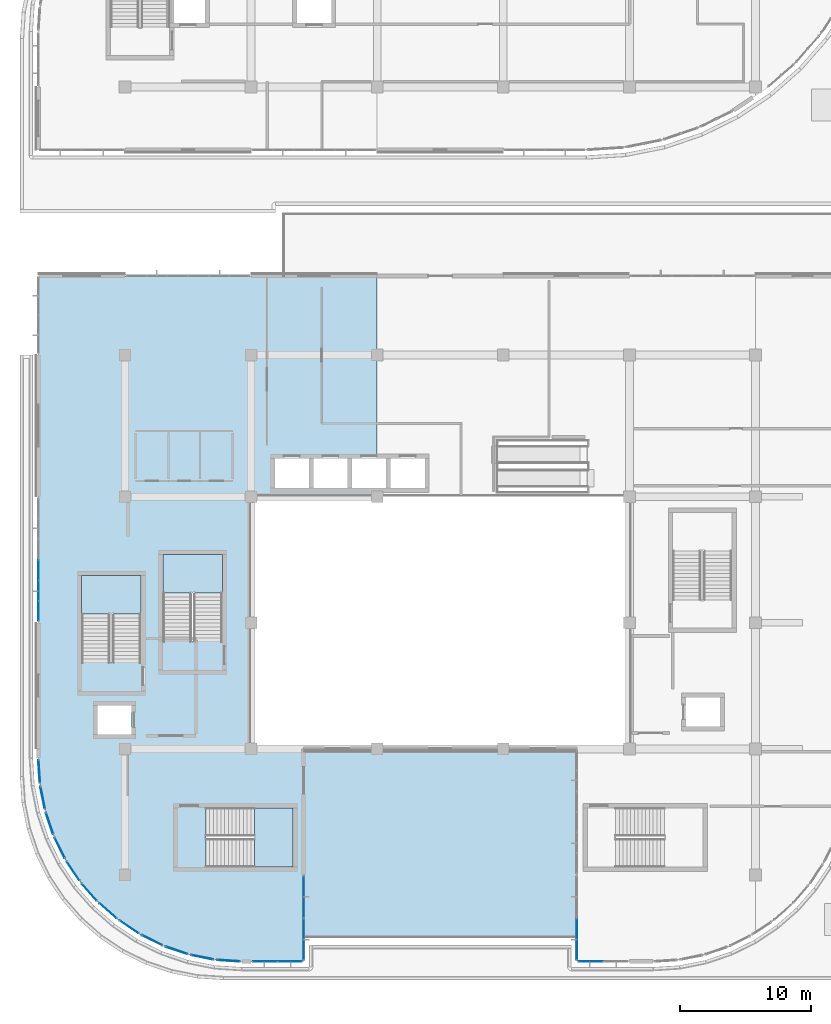
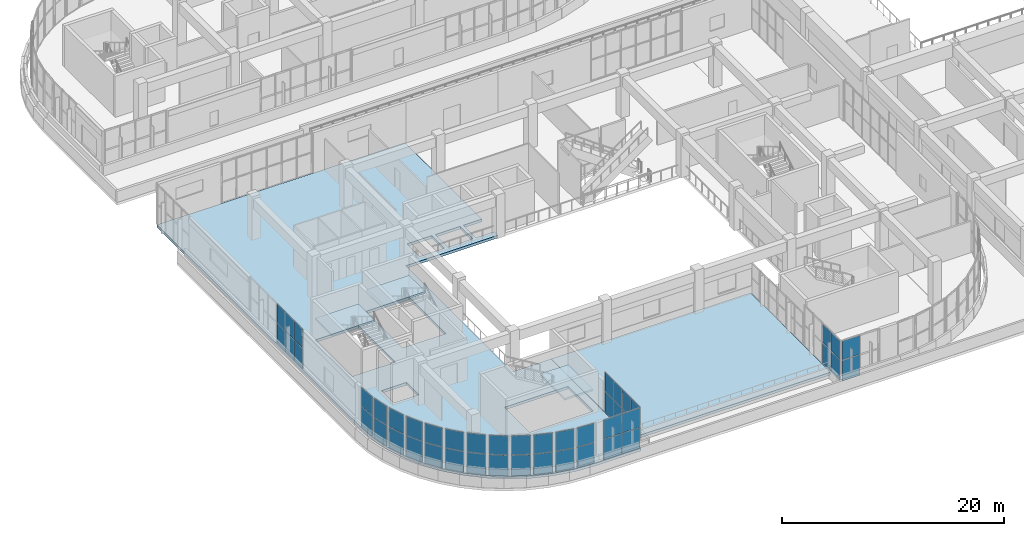
# One storey, part 44 of 96: 48 plates, 5 slabs, 20 elements without a shape of their own.
"""IFC4 building model written with IfcOpenShell, lengths in metres."""

from ifc_helpers import new_model, si_unit, direction, frame, origin, origin_2d, place, context, subcontext, project, spatial, polyline, rectangle, outline, extrude, material, layer, layer_set, type_object, element, aggregate, save


model = new_model("IFC4")

# Units and contexts
model_context = context("Model", 3, precision=1e-05, world=origin(), true_north=direction((0.0, 1.0)))
body_context = subcontext(model_context, "Body", "Model", "MODEL_VIEW")
ifc_project = project(units=[si_unit("LENGTHUNIT", "METRE"), si_unit("AREAUNIT", "SQUARE_METRE"), si_unit("VOLUMEUNIT", "CUBIC_METRE"), si_unit("PLANEANGLEUNIT", "RADIAN"), si_unit("MASSUNIT", "GRAM", prefix="KILO")], contexts=[model_context])

# Site, building, storey
site_placement = place(None, origin())
site = spatial("IfcSite", under=ifc_project, at=site_placement, CompositionType="ELEMENT")
building_placement = place(site_placement, origin())
building = spatial("IfcBuilding", under=site, at=building_placement, Name="Cendralis Terraced Arcade", CompositionType="ELEMENT")
storey_placement = place(building_placement, frame((0.0, 0.0, 10.199951171875)))
storey = spatial("IfcBuildingStorey", under=building, at=storey_placement, Name="L02", CompositionType="ELEMENT", Elevation=10.199951171875)

# Curtain wall, plates
ifc_material_1 = material(Name="Anodised aluminium EN AW-6063 T6", Category="aluminium")
ifc_layer_1 = layer(ifc_material_1, 0.1201171875, Name="CW-STORE-B")
ifc_layer_set_1 = layer_set([ifc_layer_1], Name="Anodised aluminium EN AW-6063 T6")
curtain_wall_type_1 = type_object("IfcCurtainWallType", Name="CW-STORE-B", PredefinedType="USERDEFINED", material=ifc_layer_set_1)
curtain_wall_1_placement = place(storey_placement, origin())
curtain_wall_1 = element("IfcCurtainWall", 1, at=curtain_wall_1_placement, inside=storey, type_object=curtain_wall_type_1, Name="Exterior Storefront Glazing CW-L02-0204", ObjectType="STOREFRONT GLAZING", PredefinedType="USERDEFINED")
ifc_material_2 = material(Name="Tempered solar control laminated glass", Category="glass")
ifc_layer_2 = layer(ifc_material_2, 0.02392578125, Name="CW-STORE-B-PNL")
ifc_layer_set_2 = layer_set([ifc_layer_2], Name="Tempered solar control laminated glass")
plate_type_1 = type_object("IfcPlateType", Name="CW-STORE-B-PNL", PredefinedType="CURTAIN_PANEL", material=ifc_layer_set_2)
plate_1_placement = place(storey_placement, frame((45.058837890625, 3.0, 0.05517578125), z_axis=(0.0, 0.0, 1.0), x_axis=(-1.0, 0.0, 0.0)))
plate_1 = element("IfcPlate", 2, at=plate_1_placement, type_object=plate_type_1, Name="CW-S2 panel 2.1", PredefinedType="CURTAIN_PANEL", context=body_context, shape_type="SweptSolid", body=[
    extrude(rectangle(XDim=1.827392578125, YDim=0.02392578125, at=origin_2d()), origin(), (0.0, 0.0, 1.0), 2.265380859375),
])
plate_2_placement = place(storey_placement, frame((45.058837890625, 3.0, 2.37548828125), z_axis=(0.0, 0.0, 1.0), x_axis=(-1.0, 0.0, 0.0)))
plate_2 = element("IfcPlate", 3, at=plate_2_placement, type_object=plate_type_1, Name="CW-S2 panel 2.2", PredefinedType="CURTAIN_PANEL", context=body_context, shape_type="SweptSolid", body=[
    extrude(rectangle(XDim=1.827392578125, YDim=0.02392578125, at=origin_2d()), origin(), (0.0, 0.0, 1.0), 2.084716796875),
])
aggregate(curtain_wall_1, [plate_1, plate_2])

curtain_wall_2_placement = place(storey_placement, origin())
curtain_wall_2 = element("IfcCurtainWall", 4, at=curtain_wall_2_placement, inside=storey, type_object=curtain_wall_type_1, Name="Exterior Storefront Glazing CW-L02-0205", ObjectType="STOREFRONT GLAZING", PredefinedType="USERDEFINED")
plate_3_placement = place(storey_placement, frame((44.0, 3.90625, 0.05517578125), z_axis=(0.0, 0.0, 1.0), x_axis=(0.0, 1.0, 0.0)))
plate_3 = element("IfcPlate", 5, at=plate_3_placement, type_object=plate_type_1, Name="CW-S2 panel 1.1", PredefinedType="CURTAIN_PANEL", context=body_context, shape_type="SweptSolid", body=[
    extrude(rectangle(XDim=1.5224609375, YDim=0.02392578125, at=origin_2d()), origin(), (0.0, 0.0, 1.0), 2.265380859375),
])
plate_4_placement = place(storey_placement, frame((44.0, 3.90625, 2.37548828125), z_axis=(0.0, 0.0, 1.0), x_axis=(0.0, 1.0, 0.0)))
plate_4 = element("IfcPlate", 6, at=plate_4_placement, type_object=plate_type_1, Name="CW-S2 panel 1.2", PredefinedType="CURTAIN_PANEL", context=body_context, shape_type="SweptSolid", body=[
    extrude(rectangle(XDim=1.5224609375, YDim=0.02392578125, at=origin_2d()), origin(), (0.0, 0.0, 1.0), 2.084716796875),
])
plate_5_placement = place(storey_placement, frame((44.0, 5.49755859375, 0.05517578125), z_axis=(0.0, 0.0, 1.0), x_axis=(0.0, 1.0, 0.0)))
plate_5 = element("IfcPlate", 7, at=plate_5_placement, type_object=plate_type_1, Name="CW-S2 panel 2.1", PredefinedType="CURTAIN_PANEL", context=body_context, shape_type="SweptSolid", body=[
    extrude(rectangle(XDim=1.550048828125, YDim=0.02392578125, at=origin_2d()), origin(), (0.0, 0.0, 1.0), 2.265380859375),
])
plate_6_placement = place(storey_placement, frame((44.0, 5.49755859375, 2.37548828125), z_axis=(0.0, 0.0, 1.0), x_axis=(0.0, 1.0, 0.0)))
plate_6 = element("IfcPlate", 8, at=plate_6_placement, type_object=plate_type_1, Name="CW-S2 panel 2.2", PredefinedType="CURTAIN_PANEL", context=body_context, shape_type="SweptSolid", body=[
    extrude(rectangle(XDim=1.550048828125, YDim=0.02392578125, at=origin_2d()), origin(), (0.0, 0.0, 1.0), 2.084716796875),
])
aggregate(curtain_wall_2, [plate_3, plate_4, plate_5, plate_6])

curtain_wall_3_placement = place(storey_placement, origin())
curtain_wall_3 = element("IfcCurtainWall", 9, at=curtain_wall_3_placement, inside=storey, type_object=curtain_wall_type_1, Name="Exterior Storefront Glazing CW-L02-0207", ObjectType="STOREFRONT GLAZING", PredefinedType="USERDEFINED")
plate_7_placement = place(storey_placement, frame((23.199951171875, 8.69384765625, 0.05517578125), z_axis=(0.0, 0.0, 1.0), x_axis=(0.0, -1.0, 0.0)))
plate_7 = element("IfcPlate", 10, at=plate_7_placement, type_object=plate_type_1, Name="CW-S2 panel 1.1", PredefinedType="CURTAIN_PANEL", context=body_context, shape_type="SweptSolid", body=[
    extrude(rectangle(XDim=1.5224609375, YDim=0.02392578125, at=origin_2d()), origin(), (0.0, 0.0, 1.0), 2.265380859375),
])
plate_8_placement = place(storey_placement, frame((23.199951171875, 8.69384765625, 2.37548828125), z_axis=(0.0, 0.0, 1.0), x_axis=(0.0, -1.0, 0.0)))
plate_8 = element("IfcPlate", 11, at=plate_8_placement, type_object=plate_type_1, Name="CW-S2 panel 1.2", PredefinedType="CURTAIN_PANEL", context=body_context, shape_type="SweptSolid", body=[
    extrude(rectangle(XDim=1.5224609375, YDim=0.02392578125, at=origin_2d()), origin(), (0.0, 0.0, 1.0), 2.084716796875),
])
plate_9_placement = place(storey_placement, frame((23.199951171875, 7.1025390625, 0.05517578125), z_axis=(0.0, 0.0, 1.0), x_axis=(0.0, -1.0, 0.0)))
plate_9 = element("IfcPlate", 12, at=plate_9_placement, type_object=plate_type_1, Name="CW-S2 panel 2.1", PredefinedType="CURTAIN_PANEL", context=body_context, shape_type="SweptSolid", body=[
    extrude(rectangle(XDim=1.550048828125, YDim=0.02392578125, at=origin_2d()), origin(), (0.0, 0.0, 1.0), 2.265380859375),
])
plate_10_placement = place(storey_placement, frame((23.199951171875, 7.1025390625, 2.37548828125), z_axis=(0.0, 0.0, 1.0), x_axis=(0.0, -1.0, 0.0)))
plate_10 = element("IfcPlate", 13, at=plate_10_placement, type_object=plate_type_1, Name="CW-S2 panel 2.2", PredefinedType="CURTAIN_PANEL", context=body_context, shape_type="SweptSolid", body=[
    extrude(rectangle(XDim=1.550048828125, YDim=0.02392578125, at=origin_2d()), origin(), (0.0, 0.0, 1.0), 2.084716796875),
])
plate_11_placement = place(storey_placement, frame((23.199951171875, 5.49755859375, 0.05517578125), z_axis=(0.0, 0.0, 1.0), x_axis=(0.0, -1.0, 0.0)))
plate_11 = element("IfcPlate", 14, at=plate_11_placement, type_object=plate_type_1, Name="CW-S2 panel 3.1", PredefinedType="CURTAIN_PANEL", context=body_context, shape_type="SweptSolid", body=[
    extrude(rectangle(XDim=1.550048828125, YDim=0.02392578125, at=origin_2d()), origin(), (0.0, 0.0, 1.0), 2.265380859375),
])
plate_12_placement = place(storey_placement, frame((23.199951171875, 5.49755859375, 2.37548828125), z_axis=(0.0, 0.0, 1.0), x_axis=(0.0, -1.0, 0.0)))
plate_12 = element("IfcPlate", 15, at=plate_12_placement, type_object=plate_type_1, Name="CW-S2 panel 3.2", PredefinedType="CURTAIN_PANEL", context=body_context, shape_type="SweptSolid", body=[
    extrude(rectangle(XDim=1.550048828125, YDim=0.02392578125, at=origin_2d()), origin(), (0.0, 0.0, 1.0), 2.084716796875),
])
plate_13_placement = place(storey_placement, frame((23.199951171875, 3.90625, 0.05517578125), z_axis=(0.0, 0.0, 1.0), x_axis=(0.0, -1.0, 0.0)))
plate_13 = element("IfcPlate", 16, at=plate_13_placement, type_object=plate_type_1, Name="CW-S2 panel 4.1", PredefinedType="CURTAIN_PANEL", context=body_context, shape_type="SweptSolid", body=[
    extrude(rectangle(XDim=1.5224609375, YDim=0.02392578125, at=origin_2d()), origin(), (0.0, 0.0, 1.0), 2.265380859375),
])
plate_14_placement = place(storey_placement, frame((23.199951171875, 3.90625, 2.37548828125), z_axis=(0.0, 0.0, 1.0), x_axis=(0.0, -1.0, 0.0)))
plate_14 = element("IfcPlate", 17, at=plate_14_placement, type_object=plate_type_1, Name="CW-S2 panel 4.2", PredefinedType="CURTAIN_PANEL", context=body_context, shape_type="SweptSolid", body=[
    extrude(rectangle(XDim=1.5224609375, YDim=0.02392578125, at=origin_2d()), origin(), (0.0, 0.0, 1.0), 2.084716796875),
])
aggregate(curtain_wall_3, [plate_7, plate_8, plate_9, plate_10, plate_11, plate_12, plate_13, plate_14])

curtain_wall_4_placement = place(storey_placement, origin())
curtain_wall_4 = element("IfcCurtainWall", 18, at=curtain_wall_4_placement, inside=storey, type_object=curtain_wall_type_1, Name="Exterior Storefront Glazing CW-L02-0208", ObjectType="STOREFRONT GLAZING", PredefinedType="USERDEFINED")
plate_15_placement = place(storey_placement, frame((22.141357421875, 3.0, 0.05517578125), z_axis=(0.0, 0.0, 1.0), x_axis=(-1.0, 0.0, 0.0)))
plate_15 = element("IfcPlate", 19, at=plate_15_placement, type_object=plate_type_1, Name="CW-S2 panel 1.1", PredefinedType="CURTAIN_PANEL", context=body_context, shape_type="SweptSolid", body=[
    extrude(rectangle(XDim=1.827392578125, YDim=0.02392578125, at=origin_2d()), origin(), (0.0, 0.0, 1.0), 2.265380859375),
])
plate_16_placement = place(storey_placement, frame((22.141357421875, 3.0, 2.37548828125), z_axis=(0.0, 0.0, 1.0), x_axis=(-1.0, 0.0, 0.0)))
plate_16 = element("IfcPlate", 20, at=plate_16_placement, type_object=plate_type_1, Name="CW-S2 panel 1.2", PredefinedType="CURTAIN_PANEL", context=body_context, shape_type="SweptSolid", body=[
    extrude(rectangle(XDim=1.827392578125, YDim=0.02392578125, at=origin_2d()), origin(), (0.0, 0.0, 1.0), 2.084716796875),
])
plate_17_placement = place(storey_placement, frame((20.2587890625, 3.0, 0.05517578125), z_axis=(0.0, 0.0, 1.0), x_axis=(-1.0, 0.0, 0.0)))
plate_17 = element("IfcPlate", 21, at=plate_17_placement, type_object=plate_type_1, Name="CW-S2 panel 2.1", PredefinedType="CURTAIN_PANEL", context=body_context, shape_type="SweptSolid", body=[
    extrude(rectangle(XDim=1.827392578125, YDim=0.02392578125, at=origin_2d()), origin(), (0.0, 0.0, 1.0), 2.265380859375),
])
plate_18_placement = place(storey_placement, frame((20.2587890625, 3.0, 2.37548828125), z_axis=(0.0, 0.0, 1.0), x_axis=(-1.0, 0.0, 0.0)))
plate_18 = element("IfcPlate", 22, at=plate_18_placement, type_object=plate_type_1, Name="CW-S2 panel 2.2", PredefinedType="CURTAIN_PANEL", context=body_context, shape_type="SweptSolid", body=[
    extrude(rectangle(XDim=1.827392578125, YDim=0.02392578125, at=origin_2d()), origin(), (0.0, 0.0, 1.0), 2.084716796875),
])
aggregate(curtain_wall_4, [plate_15, plate_16, plate_17, plate_18])

curtain_wall_5_placement = place(storey_placement, origin())
curtain_wall_5 = element("IfcCurtainWall", 23, at=curtain_wall_5_placement, inside=storey, type_object=curtain_wall_type_1, Name="Exterior Storefront Glazing CW-L02-0221", ObjectType="STOREFRONT GLAZING", PredefinedType="USERDEFINED")
plate_19_placement = place(storey_placement, frame((3.0, 29.688720703125, 0.05517578125), z_axis=(0.0, 0.0, 1.0), x_axis=(0.0, 1.0, 0.0)))
plate_19 = element("IfcPlate", 24, at=plate_19_placement, type_object=plate_type_1, Name="CW-S2 panel 1.1", PredefinedType="CURTAIN_PANEL", context=body_context, shape_type="SweptSolid", body=[
    extrude(rectangle(XDim=1.487548828125, YDim=0.02392578125, at=origin_2d()), origin(), (0.0, 0.0, 1.0), 2.265380859375),
])
plate_20_placement = place(storey_placement, frame((3.0, 29.688720703125, 2.37548828125), z_axis=(0.0, 0.0, 1.0), x_axis=(0.0, 1.0, 0.0)))
plate_20 = element("IfcPlate", 25, at=plate_20_placement, type_object=plate_type_1, Name="CW-S2 panel 1.2", PredefinedType="CURTAIN_PANEL", context=body_context, shape_type="SweptSolid", body=[
    extrude(rectangle(XDim=1.487548828125, YDim=0.02392578125, at=origin_2d()), origin(), (0.0, 0.0, 1.0), 2.084716796875),
])
plate_21_placement = place(storey_placement, frame((3.0, 31.2451171875, 0.05517578125), z_axis=(0.0, 0.0, 1.0), x_axis=(0.0, 1.0, 0.0)))
plate_21 = element("IfcPlate", 26, at=plate_21_placement, type_object=plate_type_1, Name="CW-S2 panel 2.1", PredefinedType="CURTAIN_PANEL", context=body_context, shape_type="SweptSolid", body=[
    extrude(rectangle(XDim=1.514892578125, YDim=0.02392578125, at=origin_2d()), origin(), (0.0, 0.0, 1.0), 2.265380859375),
])
plate_22_placement = place(storey_placement, frame((3.0, 31.2451171875, 2.37548828125), z_axis=(0.0, 0.0, 1.0), x_axis=(0.0, 1.0, 0.0)))
plate_22 = element("IfcPlate", 27, at=plate_22_placement, type_object=plate_type_1, Name="CW-S2 panel 2.2", PredefinedType="CURTAIN_PANEL", context=body_context, shape_type="SweptSolid", body=[
    extrude(rectangle(XDim=1.514892578125, YDim=0.02392578125, at=origin_2d()), origin(), (0.0, 0.0, 1.0), 2.084716796875),
])
plate_23_placement = place(storey_placement, frame((3.0, 32.81494140625, 0.05517578125), z_axis=(0.0, 0.0, 1.0), x_axis=(0.0, 1.0, 0.0)))
plate_23 = element("IfcPlate", 28, at=plate_23_placement, type_object=plate_type_1, Name="CW-S2 panel 3.1", PredefinedType="CURTAIN_PANEL", context=body_context, shape_type="SweptSolid", body=[
    extrude(rectangle(XDim=1.514892578125, YDim=0.02392578125, at=origin_2d()), origin(), (0.0, 0.0, 1.0), 2.265380859375),
])
plate_24_placement = place(storey_placement, frame((3.0, 32.81494140625, 2.37548828125), z_axis=(0.0, 0.0, 1.0), x_axis=(0.0, 1.0, 0.0)))
plate_24 = element("IfcPlate", 29, at=plate_24_placement, type_object=plate_type_1, Name="CW-S2 panel 3.2", PredefinedType="CURTAIN_PANEL", context=body_context, shape_type="SweptSolid", body=[
    extrude(rectangle(XDim=1.514892578125, YDim=0.02392578125, at=origin_2d()), origin(), (0.0, 0.0, 1.0), 2.084716796875),
])
aggregate(curtain_wall_5, [plate_19, plate_20, plate_21, plate_22, plate_23, plate_24])

ifc_layer_3 = layer(ifc_material_1, 0.179931640625, Name="CW-UNIT-A")
ifc_layer_set_3 = layer_set([ifc_layer_3], Name="Anodised aluminium EN AW-6063 T6")
curtain_wall_type_2 = type_object("IfcCurtainWallType", Name="CW-UNIT-A", PredefinedType="USERDEFINED", material=ifc_layer_set_3)
curtain_wall_6_placement = place(storey_placement, origin())
curtain_wall_6 = element("IfcCurtainWall", 30, at=curtain_wall_6_placement, inside=storey, type_object=curtain_wall_type_2, Name="Exterior Unitised Facade CW-L02-0209", ObjectType="UNITISED FACADE", PredefinedType="USERDEFINED")
ifc_layer_4 = layer(ifc_material_2, 0.035888671875, Name="CW-UNIT-A-PNL")
ifc_layer_set_4 = layer_set([ifc_layer_4], Name="Tempered solar control laminated glass")
plate_type_2 = type_object("IfcPlateType", Name="CW-UNIT-A-PNL", PredefinedType="CURTAIN_PANEL", material=ifc_layer_set_4)
plate_25_placement = place(storey_placement, frame((17.48828125, 3.06640625, 0.06494140625), z_axis=(0.0, 0.0, 1.0), x_axis=(-0.997860192175, 0.065383766124, 0.0)))
plate_25 = element("IfcPlate", 31, at=plate_25_placement, type_object=plate_type_2, Name="CW-U1 panel 1.1", PredefinedType="CURTAIN_PANEL", context=body_context, shape_type="SweptSolid", body=[
    extrude(rectangle(XDim=1.717529296875, YDim=0.035888671875, at=origin_2d()), origin(), (0.0, 0.0, 1.0), 2.250244140625),
])
plate_26_placement = place(storey_placement, frame((17.48828125, 3.06640625, 2.38037109375), z_axis=(0.0, 0.0, 1.0), x_axis=(-0.997860192175, 0.065383766124, 0.0)))
plate_26 = element("IfcPlate", 32, at=plate_26_placement, type_object=plate_type_2, Name="CW-U1 panel 1.2", PredefinedType="CURTAIN_PANEL", context=body_context, shape_type="SweptSolid", body=[
    extrude(rectangle(XDim=1.717529296875, YDim=0.035888671875, at=origin_2d()), origin(), (0.0, 0.0, 1.0), 2.069580078125),
])
aggregate(curtain_wall_6, [plate_25, plate_26])

curtain_wall_7_placement = place(storey_placement, origin())
curtain_wall_7 = element("IfcCurtainWall", 33, at=curtain_wall_7_placement, inside=storey, type_object=curtain_wall_type_2, Name="Exterior Unitised Facade CW-L02-0210", ObjectType="UNITISED FACADE", PredefinedType="USERDEFINED")
plate_27_placement = place(storey_placement, frame((15.482666015625, 3.330322265625, 0.06494140625), z_axis=(0.0, 0.0, 1.0), x_axis=(-0.980796601395, 0.195033398913, 0.0)))
plate_27 = element("IfcPlate", 34, at=plate_27_placement, type_object=plate_type_2, Name="CW-U1 panel 1.1", PredefinedType="CURTAIN_PANEL", context=body_context, shape_type="SweptSolid", body=[
    extrude(rectangle(XDim=1.71728515625, YDim=0.035888671875, at=origin_2d()), origin(), (0.0, 0.0, 1.0), 2.250244140625),
])
plate_28_placement = place(storey_placement, frame((15.482666015625, 3.330322265625, 2.38037109375), z_axis=(0.0, 0.0, 1.0), x_axis=(-0.980796601395, 0.195033398913, 0.0)))
plate_28 = element("IfcPlate", 35, at=plate_28_placement, type_object=plate_type_2, Name="CW-U1 panel 1.2", PredefinedType="CURTAIN_PANEL", context=body_context, shape_type="SweptSolid", body=[
    extrude(rectangle(XDim=1.71728515625, YDim=0.035888671875, at=origin_2d()), origin(), (0.0, 0.0, 1.0), 2.069580078125),
])
aggregate(curtain_wall_7, [plate_27, plate_28])

curtain_wall_8_placement = place(storey_placement, origin())
curtain_wall_8 = element("IfcCurtainWall", 36, at=curtain_wall_8_placement, inside=storey, type_object=curtain_wall_type_2, Name="Exterior Unitised Facade CW-L02-0211", ObjectType="UNITISED FACADE", PredefinedType="USERDEFINED")
plate_29_placement = place(storey_placement, frame((13.5283203125, 3.85400390625, 0.06494140625), z_axis=(0.0, 0.0, 1.0), x_axis=(-0.946909571674, 0.32150002033, 0.0)))
plate_29 = element("IfcPlate", 37, at=plate_29_placement, type_object=plate_type_2, Name="CW-U1 panel 1.1", PredefinedType="CURTAIN_PANEL", context=body_context, shape_type="SweptSolid", body=[
    extrude(rectangle(XDim=1.717529296875, YDim=0.035888671875, at=origin_2d()), origin(), (0.0, 0.0, 1.0), 2.250244140625),
])
plate_30_placement = place(storey_placement, frame((13.5283203125, 3.85400390625, 2.38037109375), z_axis=(0.0, 0.0, 1.0), x_axis=(-0.946909571674, 0.32150002033, 0.0)))
plate_30 = element("IfcPlate", 38, at=plate_30_placement, type_object=plate_type_2, Name="CW-U1 panel 1.2", PredefinedType="CURTAIN_PANEL", context=body_context, shape_type="SweptSolid", body=[
    extrude(rectangle(XDim=1.717529296875, YDim=0.035888671875, at=origin_2d()), origin(), (0.0, 0.0, 1.0), 2.069580078125),
])
aggregate(curtain_wall_8, [plate_29, plate_30])

curtain_wall_9_placement = place(storey_placement, origin())
curtain_wall_9 = element("IfcCurtainWall", 39, at=curtain_wall_9_placement, inside=storey, type_object=curtain_wall_type_2, Name="Exterior Unitised Facade CW-L02-0212", ObjectType="UNITISED FACADE", PredefinedType="USERDEFINED")
plate_31_placement = place(storey_placement, frame((11.6591796875, 4.628173828125, 0.06494140625), z_axis=(0.0, 0.0, 1.0), x_axis=(-0.896881752867, 0.442270416572, 0.0)))
plate_31 = element("IfcPlate", 40, at=plate_31_placement, type_object=plate_type_2, Name="CW-U1 panel 1.1", PredefinedType="CURTAIN_PANEL", context=body_context, shape_type="SweptSolid", body=[
    extrude(rectangle(XDim=1.717529296875, YDim=0.035888671875, at=origin_2d()), origin(), (0.0, 0.0, 1.0), 2.250244140625),
])
plate_32_placement = place(storey_placement, frame((11.6591796875, 4.628173828125, 2.38037109375), z_axis=(0.0, 0.0, 1.0), x_axis=(-0.896881752867, 0.442270416572, 0.0)))
plate_32 = element("IfcPlate", 41, at=plate_32_placement, type_object=plate_type_2, Name="CW-U1 panel 1.2", PredefinedType="CURTAIN_PANEL", context=body_context, shape_type="SweptSolid", body=[
    extrude(rectangle(XDim=1.717529296875, YDim=0.035888671875, at=origin_2d()), origin(), (0.0, 0.0, 1.0), 2.069580078125),
])
aggregate(curtain_wall_9, [plate_31, plate_32])

curtain_wall_10_placement = place(storey_placement, origin())
curtain_wall_10 = element("IfcCurtainWall", 42, at=curtain_wall_10_placement, inside=storey, type_object=curtain_wall_type_2, Name="Exterior Unitised Facade CW-L02-0213", ObjectType="UNITISED FACADE", PredefinedType="USERDEFINED")
plate_33_placement = place(storey_placement, frame((9.906982421875, 5.639892578125, 0.06494140625), z_axis=(0.0, 0.0, 1.0), x_axis=(-0.831483619587, 0.555549269065, 0.0)))
plate_33 = element("IfcPlate", 43, at=plate_33_placement, type_object=plate_type_2, Name="CW-U1 panel 1.1", PredefinedType="CURTAIN_PANEL", context=body_context, shape_type="SweptSolid", body=[
    extrude(rectangle(XDim=1.717529296875, YDim=0.035888671875, at=origin_2d()), origin(), (0.0, 0.0, 1.0), 2.250244140625),
])
plate_34_placement = place(storey_placement, frame((9.906982421875, 5.639892578125, 2.38037109375), z_axis=(0.0, 0.0, 1.0), x_axis=(-0.831483619587, 0.555549269065, 0.0)))
plate_34 = element("IfcPlate", 44, at=plate_34_placement, type_object=plate_type_2, Name="CW-U1 panel 1.2", PredefinedType="CURTAIN_PANEL", context=body_context, shape_type="SweptSolid", body=[
    extrude(rectangle(XDim=1.717529296875, YDim=0.035888671875, at=origin_2d()), origin(), (0.0, 0.0, 1.0), 2.069580078125),
])
aggregate(curtain_wall_10, [plate_33, plate_34])

curtain_wall_11_placement = place(storey_placement, origin())
curtain_wall_11 = element("IfcCurtainWall", 45, at=curtain_wall_11_placement, inside=storey, type_object=curtain_wall_type_2, Name="Exterior Unitised Facade CW-L02-0214", ObjectType="UNITISED FACADE", PredefinedType="USERDEFINED")
plate_35_placement = place(storey_placement, frame((8.302001953125, 6.871337890625, 0.06494140625), z_axis=(0.0, 0.0, 1.0), x_axis=(-0.751818424075, 0.659370197402, 0.0)))
plate_35 = element("IfcPlate", 46, at=plate_35_placement, type_object=plate_type_2, Name="CW-U1 panel 1.1", PredefinedType="CURTAIN_PANEL", context=body_context, shape_type="SweptSolid", body=[
    extrude(rectangle(XDim=1.717529296875, YDim=0.035888671875, at=origin_2d()), origin(), (0.0, 0.0, 1.0), 2.250244140625),
])
plate_36_placement = place(storey_placement, frame((8.302001953125, 6.871337890625, 2.38037109375), z_axis=(0.0, 0.0, 1.0), x_axis=(-0.751818424075, 0.659370197402, 0.0)))
plate_36 = element("IfcPlate", 47, at=plate_36_placement, type_object=plate_type_2, Name="CW-U1 panel 1.2", PredefinedType="CURTAIN_PANEL", context=body_context, shape_type="SweptSolid", body=[
    extrude(rectangle(XDim=1.717529296875, YDim=0.035888671875, at=origin_2d()), origin(), (0.0, 0.0, 1.0), 2.069580078125),
])
aggregate(curtain_wall_11, [plate_35, plate_36])

curtain_wall_12_placement = place(storey_placement, origin())
curtain_wall_12 = element("IfcCurtainWall", 48, at=curtain_wall_12_placement, inside=storey, type_object=curtain_wall_type_2, Name="Exterior Unitised Facade CW-L02-0215", ObjectType="UNITISED FACADE", PredefinedType="USERDEFINED")
plate_37_placement = place(storey_placement, frame((6.871337890625, 8.302001953125, 0.06494140625), z_axis=(0.0, 0.0, 1.0), x_axis=(-0.659370197402, 0.751818424075, 0.0)))
plate_37 = element("IfcPlate", 49, at=plate_37_placement, type_object=plate_type_2, Name="CW-U1 panel 1.1", PredefinedType="CURTAIN_PANEL", context=body_context, shape_type="SweptSolid", body=[
    extrude(rectangle(XDim=1.717529296875, YDim=0.035888671875, at=origin_2d()), origin(), (0.0, 0.0, 1.0), 2.250244140625),
])
plate_38_placement = place(storey_placement, frame((6.871337890625, 8.302001953125, 2.38037109375), z_axis=(0.0, 0.0, 1.0), x_axis=(-0.659370197402, 0.751818424075, 0.0)))
plate_38 = element("IfcPlate", 50, at=plate_38_placement, type_object=plate_type_2, Name="CW-U1 panel 1.2", PredefinedType="CURTAIN_PANEL", context=body_context, shape_type="SweptSolid", body=[
    extrude(rectangle(XDim=1.717529296875, YDim=0.035888671875, at=origin_2d()), origin(), (0.0, 0.0, 1.0), 2.069580078125),
])
aggregate(curtain_wall_12, [plate_37, plate_38])

curtain_wall_13_placement = place(storey_placement, origin())
curtain_wall_13 = element("IfcCurtainWall", 51, at=curtain_wall_13_placement, inside=storey, type_object=curtain_wall_type_2, Name="Exterior Unitised Facade CW-L02-0216", ObjectType="UNITISED FACADE", PredefinedType="USERDEFINED")
plate_39_placement = place(storey_placement, frame((5.639892578125, 9.906982421875, 0.06494140625), z_axis=(0.0, 0.0, 1.0), x_axis=(-0.555549269065, 0.831483619587, 0.0)))
plate_39 = element("IfcPlate", 52, at=plate_39_placement, type_object=plate_type_2, Name="CW-U1 panel 1.1", PredefinedType="CURTAIN_PANEL", context=body_context, shape_type="SweptSolid", body=[
    extrude(rectangle(XDim=1.717529296875, YDim=0.035888671875, at=origin_2d()), origin(), (0.0, 0.0, 1.0), 2.250244140625),
])
plate_40_placement = place(storey_placement, frame((5.639892578125, 9.906982421875, 2.38037109375), z_axis=(0.0, 0.0, 1.0), x_axis=(-0.555549269065, 0.831483619587, 0.0)))
plate_40 = element("IfcPlate", 53, at=plate_40_placement, type_object=plate_type_2, Name="CW-U1 panel 1.2", PredefinedType="CURTAIN_PANEL", context=body_context, shape_type="SweptSolid", body=[
    extrude(rectangle(XDim=1.717529296875, YDim=0.035888671875, at=origin_2d()), origin(), (0.0, 0.0, 1.0), 2.069580078125),
])
aggregate(curtain_wall_13, [plate_39, plate_40])

curtain_wall_14_placement = place(storey_placement, origin())
curtain_wall_14 = element("IfcCurtainWall", 54, at=curtain_wall_14_placement, inside=storey, type_object=curtain_wall_type_2, Name="Exterior Unitised Facade CW-L02-0217", ObjectType="UNITISED FACADE", PredefinedType="USERDEFINED")
plate_41_placement = place(storey_placement, frame((4.628173828125, 11.6591796875, 0.06494140625), z_axis=(0.0, 0.0, 1.0), x_axis=(-0.442270416572, 0.896881752867, 0.0)))
plate_41 = element("IfcPlate", 55, at=plate_41_placement, type_object=plate_type_2, Name="CW-U1 panel 1.1", PredefinedType="CURTAIN_PANEL", context=body_context, shape_type="SweptSolid", body=[
    extrude(rectangle(XDim=1.717529296875, YDim=0.035888671875, at=origin_2d()), origin(), (0.0, 0.0, 1.0), 2.250244140625),
])
plate_42_placement = place(storey_placement, frame((4.628173828125, 11.6591796875, 2.38037109375), z_axis=(0.0, 0.0, 1.0), x_axis=(-0.442270416572, 0.896881752867, 0.0)))
plate_42 = element("IfcPlate", 56, at=plate_42_placement, type_object=plate_type_2, Name="CW-U1 panel 1.2", PredefinedType="CURTAIN_PANEL", context=body_context, shape_type="SweptSolid", body=[
    extrude(rectangle(XDim=1.717529296875, YDim=0.035888671875, at=origin_2d()), origin(), (0.0, 0.0, 1.0), 2.069580078125),
])
aggregate(curtain_wall_14, [plate_41, plate_42])

curtain_wall_15_placement = place(storey_placement, origin())
curtain_wall_15 = element("IfcCurtainWall", 57, at=curtain_wall_15_placement, inside=storey, type_object=curtain_wall_type_2, Name="Exterior Unitised Facade CW-L02-0218", ObjectType="UNITISED FACADE", PredefinedType="USERDEFINED")
plate_43_placement = place(storey_placement, frame((3.85400390625, 13.5283203125, 0.06494140625), z_axis=(0.0, 0.0, 1.0), x_axis=(-0.32150002033, 0.946909571674, 0.0)))
plate_43 = element("IfcPlate", 58, at=plate_43_placement, type_object=plate_type_2, Name="CW-U1 panel 1.1", PredefinedType="CURTAIN_PANEL", context=body_context, shape_type="SweptSolid", body=[
    extrude(rectangle(XDim=1.717529296875, YDim=0.035888671875, at=origin_2d()), origin(), (0.0, 0.0, 1.0), 2.250244140625),
])
plate_44_placement = place(storey_placement, frame((3.85400390625, 13.5283203125, 2.38037109375), z_axis=(0.0, 0.0, 1.0), x_axis=(-0.32150002033, 0.946909571674, 0.0)))
plate_44 = element("IfcPlate", 59, at=plate_44_placement, type_object=plate_type_2, Name="CW-U1 panel 1.2", PredefinedType="CURTAIN_PANEL", context=body_context, shape_type="SweptSolid", body=[
    extrude(rectangle(XDim=1.717529296875, YDim=0.035888671875, at=origin_2d()), origin(), (0.0, 0.0, 1.0), 2.069580078125),
])
aggregate(curtain_wall_15, [plate_43, plate_44])

curtain_wall_16_placement = place(storey_placement, origin())
curtain_wall_16 = element("IfcCurtainWall", 60, at=curtain_wall_16_placement, inside=storey, type_object=curtain_wall_type_2, Name="Exterior Unitised Facade CW-L02-0219", ObjectType="UNITISED FACADE", PredefinedType="USERDEFINED")
plate_45_placement = place(storey_placement, frame((3.330322265625, 15.482666015625, 0.06494140625), z_axis=(0.0, 0.0, 1.0), x_axis=(-0.195033398913, 0.980796601395, 0.0)))
plate_45 = element("IfcPlate", 61, at=plate_45_placement, type_object=plate_type_2, Name="CW-U1 panel 1.1", PredefinedType="CURTAIN_PANEL", context=body_context, shape_type="SweptSolid", body=[
    extrude(rectangle(XDim=1.71728515625, YDim=0.035888671875, at=origin_2d()), origin(), (0.0, 0.0, 1.0), 2.250244140625),
])
plate_46_placement = place(storey_placement, frame((3.330322265625, 15.482666015625, 2.38037109375), z_axis=(0.0, 0.0, 1.0), x_axis=(-0.195033398913, 0.980796601395, 0.0)))
plate_46 = element("IfcPlate", 62, at=plate_46_placement, type_object=plate_type_2, Name="CW-U1 panel 1.2", PredefinedType="CURTAIN_PANEL", context=body_context, shape_type="SweptSolid", body=[
    extrude(rectangle(XDim=1.71728515625, YDim=0.035888671875, at=origin_2d()), origin(), (0.0, 0.0, 1.0), 2.069580078125),
])
aggregate(curtain_wall_16, [plate_45, plate_46])

curtain_wall_17_placement = place(storey_placement, origin())
curtain_wall_17 = element("IfcCurtainWall", 63, at=curtain_wall_17_placement, inside=storey, type_object=curtain_wall_type_2, Name="Exterior Unitised Facade CW-L02-0220", ObjectType="UNITISED FACADE", PredefinedType="USERDEFINED")
plate_47_placement = place(storey_placement, frame((3.06640625, 17.48828125, 0.06494140625), z_axis=(0.0, 0.0, 1.0), x_axis=(-0.065383766124, 0.997860192175, 0.0)))
plate_47 = element("IfcPlate", 64, at=plate_47_placement, type_object=plate_type_2, Name="CW-U1 panel 1.1", PredefinedType="CURTAIN_PANEL", context=body_context, shape_type="SweptSolid", body=[
    extrude(rectangle(XDim=1.717529296875, YDim=0.035888671875, at=origin_2d()), origin(), (0.0, 0.0, 1.0), 2.250244140625),
])
plate_48_placement = place(storey_placement, frame((3.06640625, 17.48828125, 2.38037109375), z_axis=(0.0, 0.0, 1.0), x_axis=(-0.065383766124, 0.997860192175, 0.0)))
plate_48 = element("IfcPlate", 65, at=plate_48_placement, type_object=plate_type_2, Name="CW-U1 panel 1.2", PredefinedType="CURTAIN_PANEL", context=body_context, shape_type="SweptSolid", body=[
    extrude(rectangle(XDim=1.717529296875, YDim=0.035888671875, at=origin_2d()), origin(), (0.0, 0.0, 1.0), 2.069580078125),
])
aggregate(curtain_wall_17, [plate_47, plate_48])

# Slab
ifc_material_3 = material(Name="Concrete f'c 35 MPa", Category="concrete")
ifc_layer_5 = layer(ifc_material_3, 0.294921875, Name="SLB-L02-295")
ifc_layer_set_5 = layer_set([ifc_layer_5], Name="Concrete f'c 35 MPa")
slab_type_1 = type_object("IfcSlabType", Name="SLB-L02-295", PredefinedType="FLOOR", material=ifc_layer_set_5)
slab_1_placement = place(storey_placement, frame((0.0, 0.0, -0.294921875)))
element("IfcSlab", 66, at=slab_1_placement, inside=storey, type_object=slab_type_1, Name="Reinforced Concrete Floor Slab SLB-L02-V1-W1-1", PredefinedType="FLOOR", context=body_context, shape_type="SweptSolid", body=[
    extrude(outline(polyline([(28.800048828125, 55.199951171875), (28.800048828125, 41.324951171875), (26.8798828125, 41.324951171875), (26.8798828125, 39.074951171875), (28.800048828125, 39.074951171875), (28.800048828125, 38.39990234375), (19.199951171875, 38.39990234375), (19.199951171875, 19.199951171875), (23.199951171875, 19.199951171875), (23.199951171875, 3.0), (18.5, 3.0), (16.476806640625, 3.132568359375), (14.48828125, 3.528076171875), (12.568359375, 4.179931640625), (10.75, 5.07666015625), (9.064208984375, 6.202880859375), (7.539794921875, 7.539794921875), (6.202880859375, 9.064208984375), (5.07666015625, 10.75), (4.179931640625, 12.568359375), (3.528076171875, 14.48828125), (3.132568359375, 16.476806640625), (3.0, 18.5), (3.0, 55.199951171875), (28.800048828125, 55.199951171875)]), holes=[polyline([(22.39990234375, 14.699951171875), (15.780029296875, 14.699951171875), (15.780029296875, 10.199951171875), (22.39990234375, 10.199951171875), (22.39990234375, 14.699951171875)]), polyline([(10.10009765625, 20.300048828125), (10.10009765625, 22.5), (7.5, 22.5), (7.5, 20.300048828125), (10.10009765625, 20.300048828125)]), polyline([(10.800048828125, 25.780029296875), (10.800048828125, 32.39990234375), (6.300048828125, 32.39990234375), (6.300048828125, 25.780029296875), (10.800048828125, 25.780029296875)]), polyline([(17.0, 27.3798828125), (17.0, 34.0), (12.5, 34.0), (12.5, 27.3798828125), (17.0, 27.3798828125)]), polyline([(23.60009765625, 41.324951171875), (21.0, 41.324951171875), (21.0, 39.074951171875), (23.60009765625, 39.074951171875), (23.60009765625, 41.324951171875)]), polyline([(26.5400390625, 39.074951171875), (26.5400390625, 41.324951171875), (23.93994140625, 41.324951171875), (23.93994140625, 39.074951171875), (26.5400390625, 39.074951171875)])]), origin(), (0.0, 0.0, 1.0), 0.294921875),
])

# Stair, slab
stair_type = type_object("IfcStairType", Name="STR-W215-H480", PredefinedType="HALF_TURN_STAIR", material=ifc_material_3)
stair_1_placement = place(storey_placement, origin())
stair_1 = element("IfcStair", 67, at=stair_1_placement, inside=storey, type_object=stair_type, Name="L02 Protected Exit Stair ST-01", PredefinedType="HALF_TURN_STAIR")
ifc_layer_6 = layer(ifc_material_3, 0.199951171875, Name="SLB-STAIR-LND-200")
ifc_layer_set_6 = layer_set([ifc_layer_6], Name="Concrete f'c 35 MPa")
slab_type_2 = type_object("IfcSlabType", Name="SLB-STAIR-LND-200", PredefinedType="LANDING", material=ifc_layer_set_6)
slab_2_placement = place(storey_placement, frame((0.0, 0.0, 2.199951171875)))
slab_2 = element("IfcSlab", 68, at=slab_2_placement, type_object=slab_type_2, Name="ST-01 landing 1", PredefinedType="LANDING", context=body_context, shape_type="SweptSolid", body=[
    extrude(outline(polyline([(10.800048828125, 29.455078125), (10.800048828125, 32.39990234375), (6.300048828125, 32.39990234375), (6.300048828125, 29.455078125), (10.800048828125, 29.455078125)])), origin(), (0.0, 0.0, 1.0), 0.2001953125),
])
aggregate(stair_1, [slab_2])

stair_2_placement = place(storey_placement, origin())
stair_2 = element("IfcStair", 69, at=stair_2_placement, inside=storey, type_object=stair_type, Name="L02 Protected Exit Stair ST-02", PredefinedType="HALF_TURN_STAIR")
slab_3_placement = place(storey_placement, frame((0.0, 0.0, 2.199951171875)))
slab_3 = element("IfcSlab", 70, at=slab_3_placement, type_object=slab_type_2, Name="ST-02 landing 1", PredefinedType="LANDING", context=body_context, shape_type="SweptSolid", body=[
    extrude(outline(polyline([(19.455078125, 10.199951171875), (22.39990234375, 10.199951171875), (22.39990234375, 14.699951171875), (19.455078125, 14.699951171875), (19.455078125, 10.199951171875)])), origin(), (0.0, 0.0, 1.0), 0.2001953125),
])
aggregate(stair_2, [slab_3])

stair_3_placement = place(storey_placement, origin())
stair_3 = element("IfcStair", 71, at=stair_3_placement, inside=storey, type_object=stair_type, Name="L02 Protected Exit Stair ST-05", PredefinedType="HALF_TURN_STAIR")
slab_4_placement = place(storey_placement, frame((0.0, 0.0, 2.199951171875)))
slab_4 = element("IfcSlab", 72, at=slab_4_placement, type_object=slab_type_2, Name="ST-05 landing 1", PredefinedType="LANDING", context=body_context, shape_type="SweptSolid", body=[
    extrude(outline(polyline([(17.0, 31.054931640625), (17.0, 34.0), (12.5, 34.0), (12.5, 31.054931640625), (17.0, 31.054931640625)])), origin(), (0.0, 0.0, 1.0), 0.2001953125),
])
aggregate(stair_3, [slab_4])

# Slab
ifc_layer_7 = layer(ifc_material_3, 0.294921875, Name="SLB-TER-265")
ifc_layer_set_7 = layer_set([ifc_layer_7], Name="Concrete f'c 35 MPa")
slab_type_3 = type_object("IfcSlabType", Name="SLB-TER-265", PredefinedType="FLOOR", material=ifc_layer_set_7)
slab_5_placement = place(storey_placement, frame((0.0, 0.0, -0.294921875)))
element("IfcSlab", 73, at=slab_5_placement, inside=storey, type_object=slab_type_3, Name="Planted Atrium Portal Terrace L02", PredefinedType="FLOOR", context=body_context, shape_type="SweptSolid", body=[
    extrude(outline(polyline([(23.219970703125, 4.800048828125), (23.219970703125, 19.199951171875), (43.97998046875, 19.199951171875), (43.97998046875, 4.800048828125), (23.219970703125, 4.800048828125)])), origin(), (0.0, 0.0, 1.0), 0.294921875),
])

save(model, "model.ifc")
